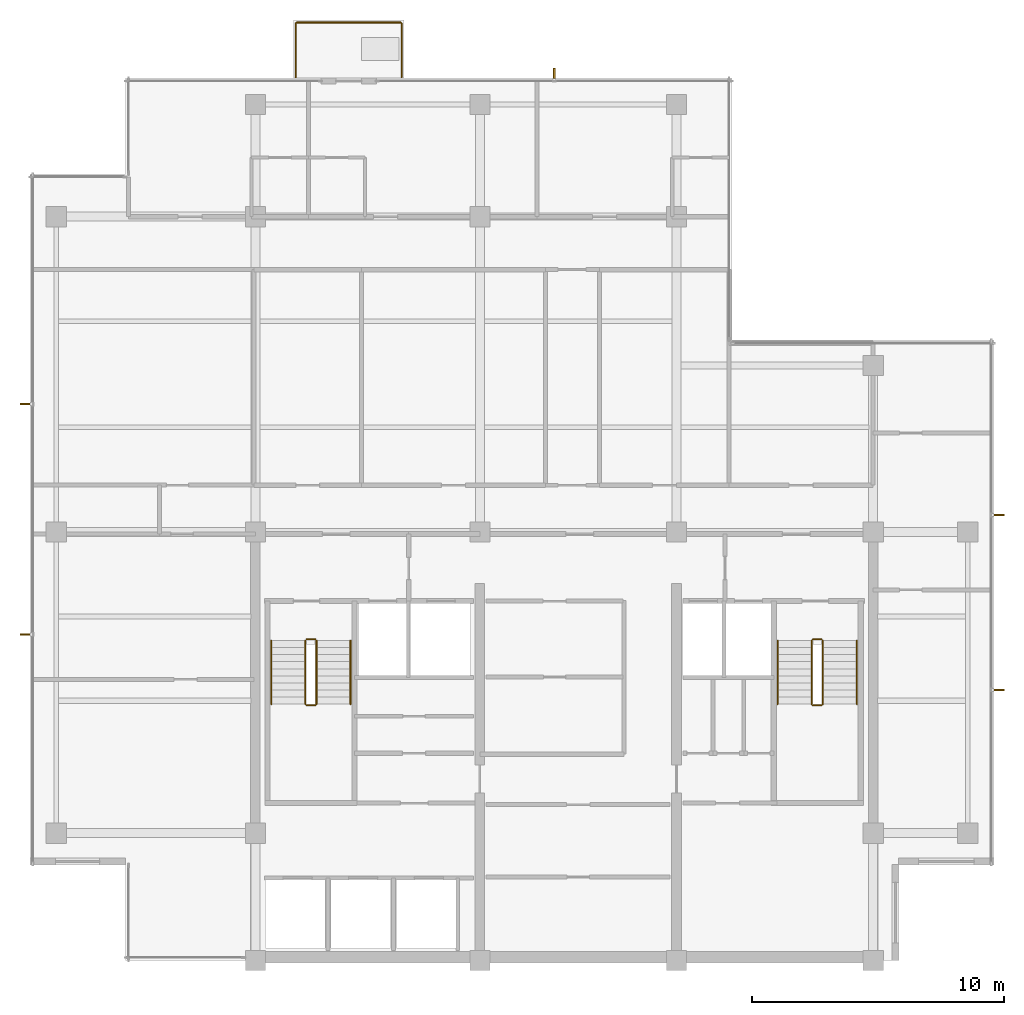
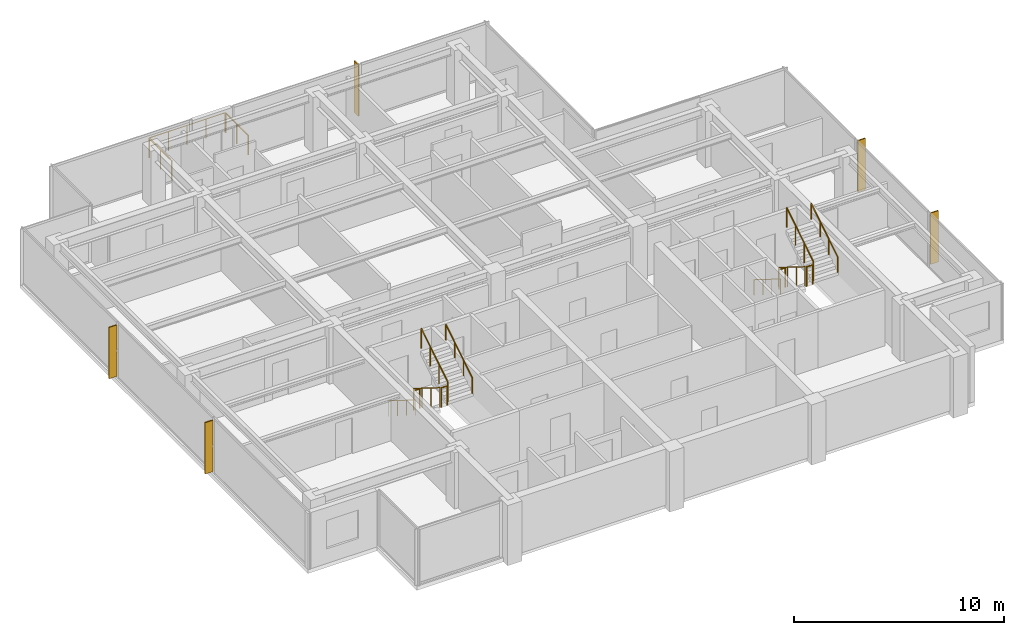
# One storey, part 11 of 11: 15 railings, 5 shading devices.
"""IFC4 building model written with IfcOpenShell, lengths in metres."""

import ifcopenshell
import ifcopenshell.guid

model = None  # the IFC model being written
_history = None  # IfcOwnerHistory: only IFC2X3 demands one
_inside = {}  # id of a spatial element -> (the spatial element, [elements in it])
_under = {}  # id of a project, library or spatial element -> (it, [spatial elements below it])
_declared = {}  # id of a project -> (the project, [libraries it declares])
_typed = {}  # id of a type object -> (the type object, [elements of that type])
_made_of = {}  # id of a material, layer set ... -> (it, [elements and type objects made of it])


def new_model(schema):
    """Start an empty IFC model of exactly this schema.

    Asked for "IFC4X3", IfcOpenShell would pick the latest addendum, in which some entities
    have other attributes; the version numbers below select the first issue.
    IFC2X3 requires an IfcOwnerHistory on every rooted entity: one is made here for all.
    """
    global model, _history
    if schema == "IFC4X3":
        model = ifcopenshell.file(schema_version=(4, 3, 0, 0))
    else:
        model = ifcopenshell.file(schema=schema)
    _inside.clear()
    _under.clear()
    _declared.clear()
    _typed.clear()
    _made_of.clear()
    _history = None
    if model.schema == "IFC2X3":
        org = make("IfcOrganization", Name="unknown")
        user = make(
            "IfcPersonAndOrganization",
            ThePerson=make("IfcPerson", FamilyName="unknown"),
            TheOrganization=org,
        )
        app = make(
            "IfcApplication",
            ApplicationDeveloper=org,
            Version="unknown",
            ApplicationFullName="unknown",
            ApplicationIdentifier="unknown",
        )
        _history = make(
            "IfcOwnerHistory",
            OwningUser=user,
            OwningApplication=app,
            ChangeAction="ADDED",
            CreationDate=0,
        )
    return model


def make(cls, **values):
    """One entity of the class cls with the attributes given. An attribute that is None is left unset."""
    return model.create_entity(
        cls, **{name: value for name, value in values.items() if value is not None}
    )


def rooted(cls, **values):
    """An entity with a GlobalId (a new one), such as an element, a storey or a relation."""
    return make(cls, GlobalId=ifcopenshell.guid.new(), OwnerHistory=_history, **values)


def si_unit(unit_type, name, prefix=None):
    """IfcSIUnit, for example si_unit("LENGTHUNIT", "METRE", prefix="MILLI")."""
    return make("IfcSIUnit", UnitType=unit_type, Prefix=prefix, Name=name)


def assignment(units):
    """IfcUnitAssignment: the units of a project."""
    return None if units is None else make("IfcUnitAssignment", Units=units)


def point(xyz):
    """IfcCartesianPoint."""
    return None if xyz is None else make("IfcCartesianPoint", Coordinates=xyz)


def direction(xyz):
    """IfcDirection."""
    return None if xyz is None else make("IfcDirection", DirectionRatios=xyz)


def frame(location, z_axis=None, x_axis=None):
    """IfcAxis2Placement3D, a coordinate frame: its origin and axes. An axis left out is left unset."""
    return make(
        "IfcAxis2Placement3D",
        Location=point(location),
        Axis=direction(z_axis),
        RefDirection=direction(x_axis),
    )


def frame_2d(location, x_axis=None):
    """IfcAxis2Placement2D, a coordinate frame in the plane: its origin and x axis."""
    return make(
        "IfcAxis2Placement2D", Location=point(location), RefDirection=direction(x_axis)
    )


def origin():
    """The frame at (0, 0, 0) with its axes left unset."""
    return frame((0.0, 0.0, 0.0))


def origin_2d():
    """The frame at (0, 0) in the plane with its x axis left unset."""
    return frame_2d((0.0, 0.0))


def place(relative_to, where):
    """IfcLocalPlacement: puts the frame where relative to a parent placement (None: the world)."""
    return make(
        "IfcLocalPlacement", PlacementRelTo=relative_to, RelativePlacement=where
    )


def context(
    kind, dimensions, precision=None, world=None, true_north=None, identifier=None
):
    """IfcGeometricRepresentationContext, for example the 3D "Model" context."""
    return make(
        "IfcGeometricRepresentationContext",
        ContextIdentifier=identifier,
        ContextType=kind,
        CoordinateSpaceDimension=dimensions,
        Precision=precision,
        WorldCoordinateSystem=world,
        TrueNorth=true_north,
    )


def subcontext(parent, identifier, kind, view, scale=None):
    """IfcGeometricRepresentationSubContext, for example "Body" below "Model"."""
    return make(
        "IfcGeometricRepresentationSubContext",
        ContextIdentifier=identifier,
        ContextType=kind,
        ParentContext=parent,
        TargetScale=scale,
        TargetView=view,
    )


def project(units=None, contexts=None):
    """IfcProject with its units and contexts."""
    return rooted(
        "IfcProject",
        Name="project",
        RepresentationContexts=contexts,
        UnitsInContext=assignment(units),
    )


def spatial(cls, under=None, at=None, **own):
    """A site, building, storey or space (cls), placed at a placement, below another one or the project."""
    s = rooted(cls, ObjectPlacement=at, **own)
    if under is not None:
        _under.setdefault(under.id(), (under, []))[1].append(s)
    return s


def polyline(points):
    """IfcPolyline through the points."""
    return make("IfcPolyline", Points=[point(p) for p in points])


def profile(cls, at=None, kind="AREA", **sizes):
    """A parametric profile (cls). Its sizes go by their IFC names, for example OverallWidth=200.0."""
    return make(cls, ProfileType=kind, Position=at, **sizes)


def circle(**sizes):
    """IfcCircleProfileDef."""
    return profile("IfcCircleProfileDef", **sizes)


def outline(outer, holes=None, kind="AREA"):
    """IfcArbitraryClosedProfileDef: a profile drawn as a closed curve; with holes, ...WithVoids."""
    if holes is None:
        return make("IfcArbitraryClosedProfileDef", ProfileType=kind, OuterCurve=outer)
    return make(
        "IfcArbitraryProfileDefWithVoids",
        ProfileType=kind,
        OuterCurve=outer,
        InnerCurves=holes,
    )


def extrude(swept, where, along, depth):
    """IfcExtrudedAreaSolid: the profile swept, set in the frame where, extruded along a direction by depth."""
    return make(
        "IfcExtrudedAreaSolid",
        SweptArea=swept,
        Position=where,
        ExtrudedDirection=direction(along),
        Depth=depth,
    )


def shape(context_of_items, identifier, shape_type, items):
    """IfcShapeRepresentation: the items that make up one representation, for example the "Body"."""
    return make(
        "IfcShapeRepresentation",
        ContextOfItems=context_of_items,
        RepresentationIdentifier=identifier,
        RepresentationType=shape_type,
        Items=items,
    )


def material(Name=None, Category=None):
    """IfcMaterial."""
    return make("IfcMaterial", Name=Name, Category=Category)


def layer(
    of_material, thickness, ventilated=None, Name=None, Category=None, Priority=None
):
    """IfcMaterialLayer: one layer of a wall or slab, of a material (None: an air gap)."""
    return make(
        "IfcMaterialLayer",
        Material=of_material,
        LayerThickness=thickness,
        IsVentilated=ventilated,
        Name=Name,
        Category=Category,
        Priority=Priority,
    )


def layer_set(layers, Name=None):
    """IfcMaterialLayerSet."""
    return make("IfcMaterialLayerSet", MaterialLayers=layers, LayerSetName=Name)


def made_of(thing, what):
    """Note that an element or type object is made of a material, layer set ...; save() writes the relation."""
    if what is not None:
        _made_of.setdefault(what.id(), (what, []))[1].append(thing)
    return thing


def type_object(cls, material=None, **own):
    """A type object (cls), such as IfcWallType, which elements share."""
    return made_of(rooted(cls, **own), material)


def element(
    cls,
    number,
    at=None,
    inside=None,
    cuts=None,
    type_object=None,
    material=None,
    context=None,
    identifier="Body",
    shape_type=None,
    held_by="IfcProductDefinitionShape",
    body=None,
    shapes=None,
    **own,
):
    """One element of the class cls, such as IfcWall. Its Tag is "e" and its number.

    at: its placement. inside: the storey or other place that contains it. cuts: it is an
    opening in that element (IfcRelVoidsElement). A single representation is given by context,
    identifier, shape_type and body (its items); several are given by shapes. held_by: the class
    of the entity that holds the representations. save() writes the other relations.
    """
    e = rooted(cls, Tag="e%d" % number, ObjectPlacement=at, **own)
    if body is not None:
        shapes = [shape(context, identifier, shape_type, body)]
    if shapes is not None:
        e.Representation = make(held_by, Representations=shapes)
    if inside is not None:
        _inside.setdefault(inside.id(), (inside, []))[1].append(e)
    if cuts is not None:
        rooted(
            "IfcRelVoidsElement", RelatingBuildingElement=cuts, RelatedOpeningElement=e
        )
    if type_object is not None:
        _typed.setdefault(type_object.id(), (type_object, []))[1].append(e)
    return made_of(e, material)


def aggregate(whole, parts):
    """IfcRelAggregates: a whole, such as a stair, and the parts it consists of."""
    return rooted("IfcRelAggregates", RelatingObject=whole, RelatedObjects=parts)


def save(model, path):
    """Write the relations noted so far, then the file.

    IfcRelAggregates (storeys below a building ...), IfcRelContainedInSpatialStructure (elements
    in a storey), IfcRelDefinesByType, IfcRelAssociatesMaterial and IfcRelDeclares: one each for
    every whole, place, type object, material and project.
    """
    for whole, parts in _under.values():
        aggregate(whole, parts)
    for where, things in _inside.values():
        rooted(
            "IfcRelContainedInSpatialStructure",
            RelatedElements=things,
            RelatingStructure=where,
        )
    for kind, things in _typed.values():
        rooted("IfcRelDefinesByType", RelatedObjects=things, RelatingType=kind)
    for what, things in _made_of.values():
        rooted("IfcRelAssociatesMaterial", RelatedObjects=things, RelatingMaterial=what)
    for by, libraries in _declared.values():
        rooted("IfcRelDeclares", RelatingContext=by, RelatedDefinitions=libraries)
    model.write(path)


model = new_model("IFC4")

# Units and contexts
model_context = context("Model", 3, precision=1e-05, world=origin(), true_north=direction((0.0, 1.0)))
body_context = subcontext(model_context, "Body", "Model", "MODEL_VIEW")
ifc_project = project(units=[si_unit("LENGTHUNIT", "METRE"), si_unit("AREAUNIT", "SQUARE_METRE"), si_unit("VOLUMEUNIT", "CUBIC_METRE"), si_unit("PLANEANGLEUNIT", "RADIAN"), si_unit("MASSUNIT", "GRAM", prefix="KILO")], contexts=[model_context])

# Site, building, storey
site_placement = place(None, origin())
site = spatial("IfcSite", under=ifc_project, at=site_placement, CompositionType="ELEMENT")
building_placement = place(site_placement, origin())
building = spatial("IfcBuilding", under=site, at=building_placement, Name="Qalmaran Belvedere Hotel", CompositionType="ELEMENT")
storey_placement = place(building_placement, frame((0.0, 0.0, 249.39990234375)))
storey = spatial("IfcBuildingStorey", under=building, at=storey_placement, Name="L64", CompositionType="ELEMENT", Elevation=249.39990234375)

# Shading devices
ifc_material_1 = material(Name="Anodised Bronze Aluminium", Category="aluminium")
ifc_layer = layer(ifc_material_1, 0.06494140625, Name="Anodised Bronze Aluminium")
ifc_layer_set = layer_set([ifc_layer], Name="Anodised Bronze Aluminium")
shading_device_type = type_object("IfcShadingDeviceType", Name="FIN-BRNZ-420", PredefinedType="USERDEFINED", material=ifc_layer_set)
shading_device_1_placement = place(storey_placement, frame((0.0, 0.0, 0.16015625)))
element("IfcShadingDevice", 1, at=shading_device_1_placement, inside=storey, type_object=shading_device_type, Name="L64 Bronze Fin 1", ObjectType="FIN", PredefinedType="USERDEFINED", context=body_context, shape_type="SweptSolid", body=[
    extrude(outline(polyline([(49.5673828125, 14.20068359375), (49.987548828125, 14.20068359375), (49.987548828125, 14.265869140625), (49.5673828125, 14.265869140625), (49.5673828125, 14.20068359375)])), origin(), (0.0, 0.0, 1.0), 2.97998046875),
])
shading_device_2_placement = place(storey_placement, frame((0.0, 0.0, 0.16015625)))
element("IfcShadingDevice", 2, at=shading_device_2_placement, inside=storey, type_object=shading_device_type, Name="L64 Bronze Fin 2", ObjectType="FIN", PredefinedType="USERDEFINED", context=body_context, shape_type="SweptSolid", body=[
    extrude(outline(polyline([(49.5673828125, 21.13427734375), (49.987548828125, 21.13427734375), (49.987548828125, 21.19921875), (49.5673828125, 21.19921875), (49.5673828125, 21.13427734375)])), origin(), (0.0, 0.0, 1.0), 2.97998046875),
])
shading_device_3_placement = place(storey_placement, frame((0.0, 0.0, 0.16015625)))
element("IfcShadingDevice", 3, at=shading_device_3_placement, inside=storey, type_object=shading_device_type, Name="L64 Bronze Fin 1", ObjectType="FIN", PredefinedType="USERDEFINED", context=body_context, shape_type="SweptSolid", body=[
    extrude(outline(polyline([(32.1826171875, 38.467529296875), (32.1826171875, 38.887451171875), (32.117431640625, 38.887451171875), (32.117431640625, 38.467529296875), (32.1826171875, 38.467529296875)])), origin(), (0.0, 0.0, 1.0), 2.97998046875),
])
shading_device_4_placement = place(storey_placement, frame((0.0, 0.0, 0.16015625)))
element("IfcShadingDevice", 4, at=shading_device_4_placement, inside=storey, type_object=shading_device_type, Name="L64 Bronze Fin 1", ObjectType="FIN", PredefinedType="USERDEFINED", context=body_context, shape_type="SweptSolid", body=[
    extrude(outline(polyline([(11.382568359375, 25.59912109375), (10.96240234375, 25.59912109375), (10.96240234375, 25.5341796875), (11.382568359375, 25.5341796875), (11.382568359375, 25.59912109375)])), origin(), (0.0, 0.0, 1.0), 2.97998046875),
])
shading_device_5_placement = place(storey_placement, frame((0.0, 0.0, 0.16015625)))
element("IfcShadingDevice", 5, at=shading_device_5_placement, inside=storey, type_object=shading_device_type, Name="L64 Bronze Fin 2", ObjectType="FIN", PredefinedType="USERDEFINED", context=body_context, shape_type="SweptSolid", body=[
    extrude(outline(polyline([(11.382568359375, 16.4658203125), (10.96240234375, 16.4658203125), (10.96240234375, 16.40087890625), (11.382568359375, 16.40087890625), (11.382568359375, 16.4658203125)])), origin(), (0.0, 0.0, 1.0), 2.97998046875),
])

# Railings
railing_type_1 = type_object("IfcRailingType", Name="GRD-BAL-1150", PredefinedType="BALUSTRADE", material=ifc_material_1)
railing_1_placement = place(storey_placement, frame((21.89990234375, 38.534912109375, 0.0)))
element("IfcRailing", 6, at=railing_1_placement, inside=storey, type_object=railing_type_1, Name="L64 Guardrail BAL-L64-N-1", PredefinedType="BALUSTRADE", context=body_context, shape_type="SweptSolid", body=[
    extrude(circle(Radius=0.02392578125, at=origin_2d()), frame((0.0, 0.0, 1.1259765625), z_axis=(0.0, 1.0, 0.0), x_axis=(-1.0, 0.0, 0.0)), (0.0, 0.0, 1.0), 2.130126953125),
    extrude(circle(Radius=0.02099609375, at=origin_2d()), origin(), (0.0, 0.0, 1.0), 1.101806640625),
    extrude(circle(Radius=0.02099609375, at=origin_2d()), frame((0.0, 1.06494140625, 0.0)), (0.0, 0.0, 1.0), 1.101806640625),
    extrude(circle(Radius=0.02099609375, at=origin_2d()), frame((0.0, 2.130126953125, 0.0)), (0.0, 0.0, 1.0), 1.101806640625),
])
railing_2_placement = place(storey_placement, frame((21.93505859375, 40.699951171875, 0.0)))
element("IfcRailing", 7, at=railing_2_placement, inside=storey, type_object=railing_type_1, Name="L64 Guardrail BAL-L64-N-2", PredefinedType="BALUSTRADE", context=body_context, shape_type="SweptSolid", body=[
    extrude(circle(Radius=0.02392578125, at=origin_2d()), frame((0.0, 0.0, 1.1259765625), z_axis=(1.0, 0.0, 0.0), x_axis=(0.0, 1.0, 0.0)), (0.0, 0.0, 1.0), 4.1298828125),
    extrude(circle(Radius=0.02099609375, at=origin_2d()), origin(), (0.0, 0.0, 1.0), 1.101806640625),
    extrude(circle(Radius=0.02099609375, at=origin_2d()), frame((1.032470703125, 0.0, 0.0)), (0.0, 0.0, 1.0), 1.101806640625),
    extrude(circle(Radius=0.02099609375, at=origin_2d()), frame((2.06494140625, 0.0, 0.0)), (0.0, 0.0, 1.0), 1.101806640625),
    extrude(circle(Radius=0.02099609375, at=origin_2d()), frame((3.097412109375, 0.0, 0.0)), (0.0, 0.0, 1.0), 1.101806640625),
    extrude(circle(Radius=0.02099609375, at=origin_2d()), frame((4.1298828125, 0.0, 0.0)), (0.0, 0.0, 1.0), 1.101806640625),
])
railing_3_placement = place(storey_placement, frame((26.10009765625, 40.6650390625, 0.0)))
element("IfcRailing", 8, at=railing_3_placement, inside=storey, type_object=railing_type_1, Name="L64 Guardrail BAL-L64-N-3", PredefinedType="BALUSTRADE", context=body_context, shape_type="SweptSolid", body=[
    extrude(circle(Radius=0.02392578125, at=origin_2d()), frame((0.0, 0.0, 1.1259765625), z_axis=(0.0, -1.0, 0.0), x_axis=(1.0, 0.0, 0.0)), (0.0, 0.0, 1.0), 2.130126953125),
    extrude(circle(Radius=0.02099609375, at=origin_2d()), origin(), (0.0, 0.0, 1.0), 1.101806640625),
    extrude(circle(Radius=0.02099609375, at=origin_2d()), frame((0.0, -1.06494140625, 0.0)), (0.0, 0.0, 1.0), 1.101806640625),
    extrude(circle(Radius=0.02099609375, at=origin_2d()), frame((0.0, -2.130126953125, 0.0)), (0.0, 0.0, 1.0), 1.101806640625),
])
ifc_material_2 = material(Name="Stainless Steel 1.4401", Category="steel")
railing_type_2 = type_object("IfcRailingType", Name="RLG-STAIR-GUARD-1150", PredefinedType="GUARDRAIL", material=ifc_material_2)
railing_4_placement = place(storey_placement, frame((22.280029296875, 16.18994140625, 0.175048828125)))
element("IfcRailing", 9, at=railing_4_placement, inside=storey, type_object=railing_type_2, Name="L64 ST-1 stair guard 1", PredefinedType="GUARDRAIL", context=body_context, shape_type="SweptSolid", body=[
    extrude(circle(Radius=0.02392578125, at=origin_2d()), frame((0.0, 0.0, 1.1259765625), z_axis=(0.0, -0.848007534815, 0.529984170421), x_axis=(1.0, 0.0, 0.0)), (0.0, 0.0, 1.0), 2.9716796875),
    extrude(circle(Radius=0.02099609375, at=origin_2d()), origin(), (0.0, 0.0, 1.0), 1.101806640625),
    extrude(circle(Radius=0.02099609375, at=origin_2d()), frame((0.0, -0.840087890625, 0.52490234375)), (0.0, 0.0, 1.0), 1.101806640625),
    extrude(circle(Radius=0.02099609375, at=origin_2d()), frame((0.0, -1.679931640625, 1.050048828125)), (0.0, 0.0, 1.0), 1.101806640625),
    extrude(circle(Radius=0.02099609375, at=origin_2d()), frame((0.0, -2.52001953125, 1.574951171875)), (0.0, 0.0, 1.0), 1.101806640625),
])
railing_5_placement = place(storey_placement, frame((22.330078125, 13.6201171875, 1.75)))
element("IfcRailing", 10, at=railing_5_placement, inside=storey, type_object=railing_type_2, Name="L64 ST-1 stair guard 2", PredefinedType="GUARDRAIL", context=body_context, shape_type="SweptSolid", body=[
    extrude(circle(Radius=0.02392578125, at=origin_2d()), frame((0.0, 0.0, 1.1259765625), z_axis=(1.0, 0.0, 0.0), x_axis=(0.0, 1.0, 0.0)), (0.0, 0.0, 1.0), 0.33984375),
    extrude(circle(Radius=0.02099609375, at=origin_2d()), origin(), (0.0, 0.0, 1.0), 1.101806640625),
    extrude(circle(Radius=0.02099609375, at=origin_2d()), frame((0.33984375, 0.0, 0.0)), (0.0, 0.0, 1.0), 1.101806640625),
])
railing_6_placement = place(storey_placement, frame((22.719970703125, 13.669921875, 1.925048828125)))
element("IfcRailing", 11, at=railing_6_placement, inside=storey, type_object=railing_type_2, Name="L64 ST-1 stair guard 3", PredefinedType="GUARDRAIL", context=body_context, shape_type="SweptSolid", body=[
    extrude(circle(Radius=0.02392578125, at=origin_2d()), frame((0.0, 0.0, 1.1259765625), z_axis=(0.0, 0.848007534815, 0.529984170421), x_axis=(-1.0, 0.0, 0.0)), (0.0, 0.0, 1.0), 2.9716796875),
    extrude(circle(Radius=0.02099609375, at=origin_2d()), origin(), (0.0, 0.0, 1.0), 1.101806640625),
    extrude(circle(Radius=0.02099609375, at=origin_2d()), frame((0.0, 0.840087890625, 0.52490234375)), (0.0, 0.0, 1.0), 1.101806640625),
    extrude(circle(Radius=0.02099609375, at=origin_2d()), frame((0.0, 1.679931640625, 1.050048828125)), (0.0, 0.0, 1.0), 1.101806640625),
    extrude(circle(Radius=0.02099609375, at=origin_2d()), frame((0.0, 2.52001953125, 1.574951171875)), (0.0, 0.0, 1.0), 1.101806640625),
])
railing_7_placement = place(storey_placement, frame((22.330078125, 16.239990234375, 0.0)))
element("IfcRailing", 12, at=railing_7_placement, inside=storey, type_object=railing_type_2, Name="L64 ST-1 stair guard 4", PredefinedType="GUARDRAIL", context=body_context, shape_type="SweptSolid", body=[
    extrude(circle(Radius=0.02392578125, at=origin_2d()), frame((0.0, 0.0, 1.1259765625), z_axis=(1.0, 0.0, 0.0), x_axis=(0.0, 1.0, 0.0)), (0.0, 0.0, 1.0), 0.33984375),
    extrude(circle(Radius=0.02099609375, at=origin_2d()), origin(), (0.0, 0.0, 1.0), 1.101806640625),
    extrude(circle(Radius=0.02099609375, at=origin_2d()), frame((0.33984375, 0.0, 0.0)), (0.0, 0.0, 1.0), 1.101806640625),
])
railing_8_placement = place(storey_placement, frame((42.360107421875, 16.18994140625, 0.175048828125)))
element("IfcRailing", 13, at=railing_8_placement, inside=storey, type_object=railing_type_2, Name="L64 ST-2 stair guard 1", PredefinedType="GUARDRAIL", context=body_context, shape_type="SweptSolid", body=[
    extrude(circle(Radius=0.02392578125, at=origin_2d()), frame((0.0, 0.0, 1.1259765625), z_axis=(0.0, -0.848007534815, 0.529984170421), x_axis=(1.0, 0.0, 0.0)), (0.0, 0.0, 1.0), 2.9716796875),
    extrude(circle(Radius=0.02099609375, at=origin_2d()), origin(), (0.0, 0.0, 1.0), 1.101806640625),
    extrude(circle(Radius=0.02099609375, at=origin_2d()), frame((0.0, -0.840087890625, 0.52490234375)), (0.0, 0.0, 1.0), 1.101806640625),
    extrude(circle(Radius=0.02099609375, at=origin_2d()), frame((0.0, -1.679931640625, 1.050048828125)), (0.0, 0.0, 1.0), 1.101806640625),
    extrude(circle(Radius=0.02099609375, at=origin_2d()), frame((0.0, -2.52001953125, 1.574951171875)), (0.0, 0.0, 1.0), 1.101806640625),
])
railing_9_placement = place(storey_placement, frame((42.409912109375, 13.6201171875, 1.75)))
element("IfcRailing", 14, at=railing_9_placement, inside=storey, type_object=railing_type_2, Name="L64 ST-2 stair guard 2", PredefinedType="GUARDRAIL", context=body_context, shape_type="SweptSolid", body=[
    extrude(circle(Radius=0.02392578125, at=origin_2d()), frame((0.0, 0.0, 1.1259765625), z_axis=(1.0, 0.0, 0.0), x_axis=(0.0, 1.0, 0.0)), (0.0, 0.0, 1.0), 0.340087890625),
    extrude(circle(Radius=0.02099609375, at=origin_2d()), origin(), (0.0, 0.0, 1.0), 1.101806640625),
    extrude(circle(Radius=0.02099609375, at=origin_2d()), frame((0.340087890625, 0.0, 0.0)), (0.0, 0.0, 1.0), 1.101806640625),
])
railing_10_placement = place(storey_placement, frame((42.800048828125, 13.669921875, 1.925048828125)))
element("IfcRailing", 15, at=railing_10_placement, inside=storey, type_object=railing_type_2, Name="L64 ST-2 stair guard 3", PredefinedType="GUARDRAIL", context=body_context, shape_type="SweptSolid", body=[
    extrude(circle(Radius=0.02392578125, at=origin_2d()), frame((0.0, 0.0, 1.1259765625), z_axis=(0.0, 0.848007534815, 0.529984170421), x_axis=(-1.0, 0.0, 0.0)), (0.0, 0.0, 1.0), 2.9716796875),
    extrude(circle(Radius=0.02099609375, at=origin_2d()), origin(), (0.0, 0.0, 1.0), 1.101806640625),
    extrude(circle(Radius=0.02099609375, at=origin_2d()), frame((0.0, 0.840087890625, 0.52490234375)), (0.0, 0.0, 1.0), 1.101806640625),
    extrude(circle(Radius=0.02099609375, at=origin_2d()), frame((0.0, 1.679931640625, 1.050048828125)), (0.0, 0.0, 1.0), 1.101806640625),
    extrude(circle(Radius=0.02099609375, at=origin_2d()), frame((0.0, 2.52001953125, 1.574951171875)), (0.0, 0.0, 1.0), 1.101806640625),
])
railing_11_placement = place(storey_placement, frame((42.409912109375, 16.239990234375, 0.0)))
element("IfcRailing", 16, at=railing_11_placement, inside=storey, type_object=railing_type_2, Name="L64 ST-2 stair guard 4", PredefinedType="GUARDRAIL", context=body_context, shape_type="SweptSolid", body=[
    extrude(circle(Radius=0.02392578125, at=origin_2d()), frame((0.0, 0.0, 1.1259765625), z_axis=(1.0, 0.0, 0.0), x_axis=(0.0, 1.0, 0.0)), (0.0, 0.0, 1.0), 0.340087890625),
    extrude(circle(Radius=0.02099609375, at=origin_2d()), origin(), (0.0, 0.0, 1.0), 1.101806640625),
    extrude(circle(Radius=0.02099609375, at=origin_2d()), frame((0.340087890625, 0.0, 0.0)), (0.0, 0.0, 1.0), 1.101806640625),
])
railing_type_3 = type_object("IfcRailingType", Name="RLG-STAIR-HAND-910", PredefinedType="HANDRAIL", material=ifc_material_2)
railing_12_placement = place(storey_placement, frame((20.929931640625, 16.18994140625, 0.175048828125)))
element("IfcRailing", 17, at=railing_12_placement, inside=storey, type_object=railing_type_3, Name="L64 ST-1 stair handrail 1", PredefinedType="HANDRAIL", context=body_context, shape_type="SweptSolid", body=[
    extrude(circle(Radius=0.02392578125, at=origin_2d()), frame((0.0, 0.0, 0.8857421875), z_axis=(0.0, -0.848007534815, 0.529984170421), x_axis=(1.0, 0.0, 0.0)), (0.0, 0.0, 1.0), 2.9716796875),
    extrude(circle(Radius=0.02099609375, at=origin_2d()), origin(), (0.0, 0.0, 1.0), 0.86181640625),
    extrude(circle(Radius=0.02099609375, at=origin_2d()), frame((0.0, -0.840087890625, 0.52490234375)), (0.0, 0.0, 1.0), 0.86181640625),
    extrude(circle(Radius=0.02099609375, at=origin_2d()), frame((0.0, -1.679931640625, 1.050048828125)), (0.0, 0.0, 1.0), 0.86181640625),
    extrude(circle(Radius=0.02099609375, at=origin_2d()), frame((0.0, -2.52001953125, 1.574951171875)), (0.0, 0.0, 1.0), 0.86181640625),
])
railing_13_placement = place(storey_placement, frame((24.070068359375, 13.669921875, 1.925048828125)))
element("IfcRailing", 18, at=railing_13_placement, inside=storey, type_object=railing_type_3, Name="L64 ST-1 stair handrail 2", PredefinedType="HANDRAIL", context=body_context, shape_type="SweptSolid", body=[
    extrude(circle(Radius=0.02392578125, at=origin_2d()), frame((0.0, 0.0, 0.8857421875), z_axis=(0.0, 0.848007534815, 0.529984170421), x_axis=(-1.0, 0.0, 0.0)), (0.0, 0.0, 1.0), 2.9716796875),
    extrude(circle(Radius=0.02099609375, at=origin_2d()), origin(), (0.0, 0.0, 1.0), 0.86181640625),
    extrude(circle(Radius=0.02099609375, at=origin_2d()), frame((0.0, 0.840087890625, 0.52490234375)), (0.0, 0.0, 1.0), 0.86181640625),
    extrude(circle(Radius=0.02099609375, at=origin_2d()), frame((0.0, 1.679931640625, 1.050048828125)), (0.0, 0.0, 1.0), 0.86181640625),
    extrude(circle(Radius=0.02099609375, at=origin_2d()), frame((0.0, 2.52001953125, 1.574951171875)), (0.0, 0.0, 1.0), 0.86181640625),
])
railing_14_placement = place(storey_placement, frame((41.010009765625, 16.18994140625, 0.175048828125)))
element("IfcRailing", 19, at=railing_14_placement, inside=storey, type_object=railing_type_3, Name="L64 ST-2 stair handrail 1", PredefinedType="HANDRAIL", context=body_context, shape_type="SweptSolid", body=[
    extrude(circle(Radius=0.02392578125, at=origin_2d()), frame((0.0, 0.0, 0.8857421875), z_axis=(0.0, -0.848007534815, 0.529984170421), x_axis=(1.0, 0.0, 0.0)), (0.0, 0.0, 1.0), 2.9716796875),
    extrude(circle(Radius=0.02099609375, at=origin_2d()), origin(), (0.0, 0.0, 1.0), 0.86181640625),
    extrude(circle(Radius=0.02099609375, at=origin_2d()), frame((0.0, -0.840087890625, 0.52490234375)), (0.0, 0.0, 1.0), 0.86181640625),
    extrude(circle(Radius=0.02099609375, at=origin_2d()), frame((0.0, -1.679931640625, 1.050048828125)), (0.0, 0.0, 1.0), 0.86181640625),
    extrude(circle(Radius=0.02099609375, at=origin_2d()), frame((0.0, -2.52001953125, 1.574951171875)), (0.0, 0.0, 1.0), 0.86181640625),
])
railing_15_placement = place(storey_placement, frame((44.14990234375, 13.669921875, 1.925048828125)))
element("IfcRailing", 20, at=railing_15_placement, inside=storey, type_object=railing_type_3, Name="L64 ST-2 stair handrail 2", PredefinedType="HANDRAIL", context=body_context, shape_type="SweptSolid", body=[
    extrude(circle(Radius=0.02392578125, at=origin_2d()), frame((0.0, 0.0, 0.8857421875), z_axis=(0.0, 0.848007534815, 0.529984170421), x_axis=(-1.0, 0.0, 0.0)), (0.0, 0.0, 1.0), 2.9716796875),
    extrude(circle(Radius=0.02099609375, at=origin_2d()), origin(), (0.0, 0.0, 1.0), 0.86181640625),
    extrude(circle(Radius=0.02099609375, at=origin_2d()), frame((0.0, 0.840087890625, 0.52490234375)), (0.0, 0.0, 1.0), 0.86181640625),
    extrude(circle(Radius=0.02099609375, at=origin_2d()), frame((0.0, 1.679931640625, 1.050048828125)), (0.0, 0.0, 1.0), 0.86181640625),
    extrude(circle(Radius=0.02099609375, at=origin_2d()), frame((0.0, 2.52001953125, 1.574951171875)), (0.0, 0.0, 1.0), 0.86181640625),
])

save(model, "model.ifc")
